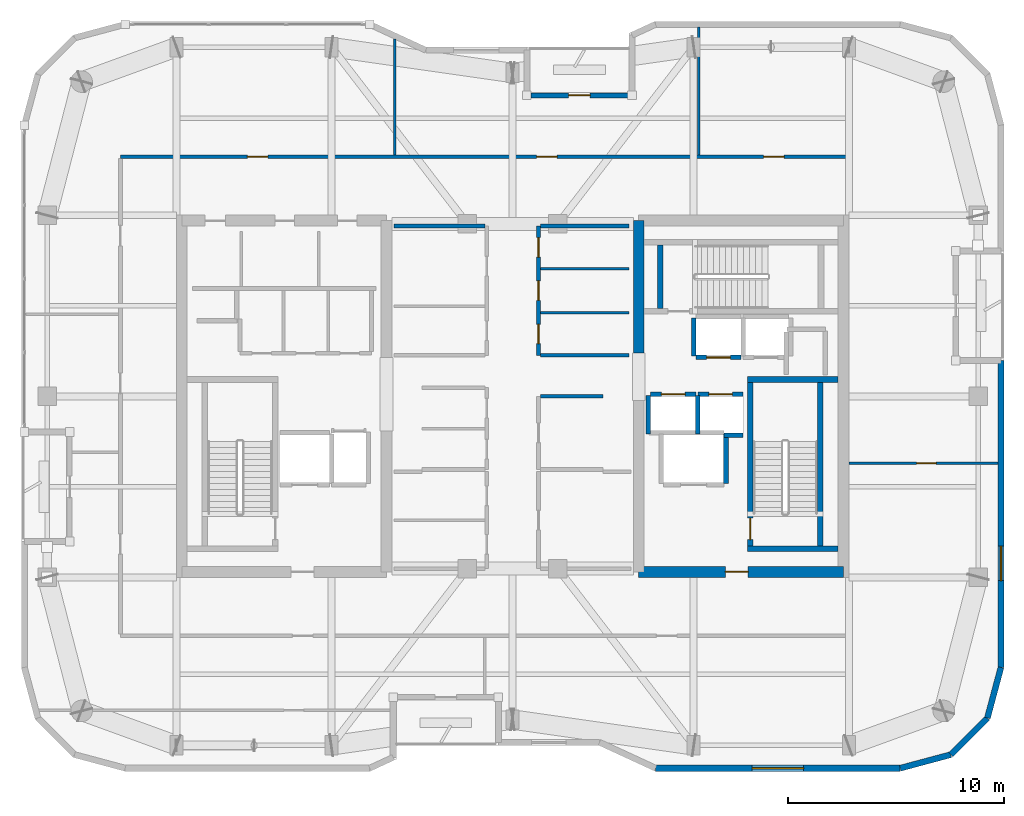
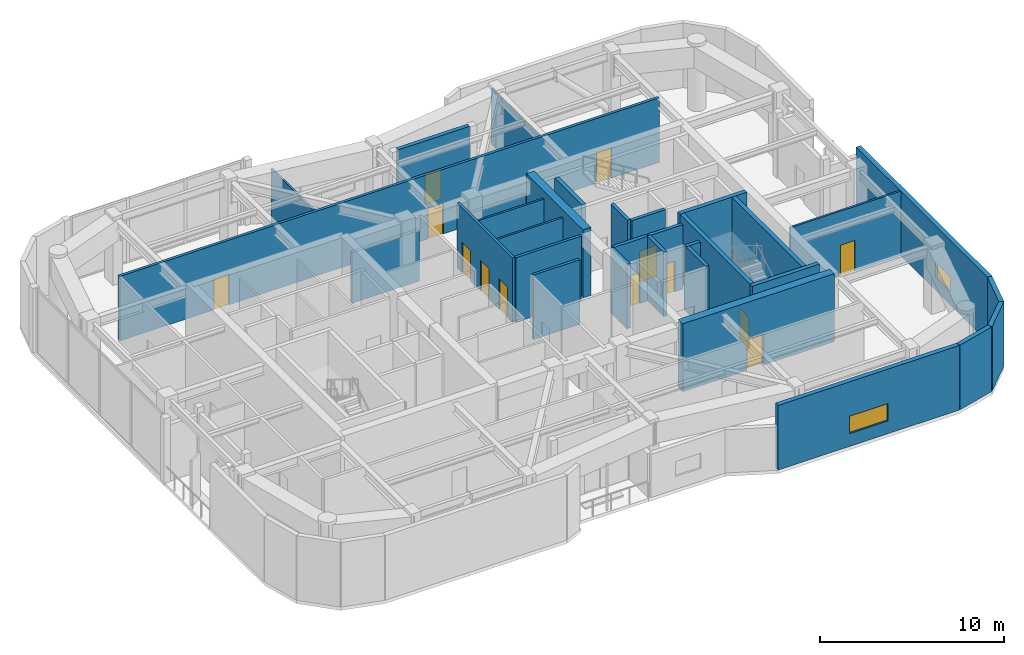
# One storey, part 12 of 15: 32 walls, 13 doors, 2 windows, 15 openings.
"""IFC4 building model written with IfcOpenShell, lengths in metres."""

from ifc_helpers import new_model, si_unit, direction, frame, frame_2d, origin, place, context, subcontext, project, spatial, rectangle, extrude, material, layer, layer_set, type_object, element, fill, save


model = new_model("IFC4")

# Units and contexts
model_context = context("Model", 3, precision=1e-05, world=origin(), true_north=direction((0.0, 1.0)))
body_context = subcontext(model_context, "Body", "Model", "MODEL_VIEW")
ifc_project = project(units=[si_unit("LENGTHUNIT", "METRE"), si_unit("AREAUNIT", "SQUARE_METRE"), si_unit("VOLUMEUNIT", "CUBIC_METRE"), si_unit("PLANEANGLEUNIT", "RADIAN"), si_unit("MASSUNIT", "GRAM", prefix="KILO")], contexts=[model_context])

# Site, building, storey
site_placement = place(None, origin())
site = spatial("IfcSite", under=ifc_project, at=site_placement, CompositionType="ELEMENT")
building_placement = place(site_placement, origin())
building = spatial("IfcBuilding", under=site, at=building_placement, Name="Kiyonajd Concourse Tower", CompositionType="ELEMENT")
storey_placement = place(building_placement, frame((0.0, 0.0, 342.0)))
storey = spatial("IfcBuildingStorey", under=building, at=storey_placement, Name="L86", CompositionType="ELEMENT", Elevation=342.0)

# Wall
ifc_material_1 = material(Name="Concrete C60/75", Category="concrete")
ifc_layer_1 = layer(ifc_material_1, 0.5)
ifc_layer_set_1 = layer_set([ifc_layer_1], Name="Concrete C60/75")
wall_type_1 = type_object("IfcWallType", Name="WL-CORE-500", PredefinedType="SHEAR", material=ifc_layer_set_1)
wall_1_placement = place(storey_placement, frame((53.85009765625, 38.0, 0.0), z_axis=(0.0, 0.0, 1.0), x_axis=(0.0, 1.0, 0.0)))
element("IfcWall", 1, at=wall_1_placement, inside=storey, type_object=wall_type_1, Name="L86 East Core Inner North Shear Wall", PredefinedType="SHEAR", context=body_context, shape_type="SweptSolid", body=[
    extrude(rectangle(XDim=6.14990234375, YDim=0.5, at=frame_2d((3.074951171875, 0.0))), origin(), (0.0, 0.0, 1.0), 4.5),
])

# Wall, opening, door
wall_2_placement = place(storey_placement, frame((53.85009765625, 27.85009765625, 0.0), z_axis=(0.0, 0.0, 1.0), x_axis=(1.0, 0.0, 0.0)))
wall_2 = element("IfcWall", 2, at=wall_2_placement, inside=storey, type_object=wall_type_1, Name="L86 East Core South Shear Wall", PredefinedType="SHEAR", context=body_context, shape_type="SweptSolid", body=[
    extrude(rectangle(XDim=9.5, YDim=0.5, at=frame_2d((4.75, 0.0))), origin(), (0.0, 0.0, 1.0), 4.5),
])
opening_1_placement = place(wall_2_placement, frame((4.02490234375, 0.0, 0.0)))
opening_1 = element("IfcOpeningElement", 3, at=opening_1_placement, cuts=wall_2, Name="Opening DF5", PredefinedType="OPENING", context=body_context, shape_type="SweptSolid", body=[
    extrude(rectangle(XDim=1.050048828125, YDim=2.0400390625, at=frame_2d((0.52490234375, 1.02001953125))), frame((0.0, 0.260009765625, 0.0), z_axis=(0.0, -1.0, 0.0), x_axis=(1.0, 0.0, 0.0)), (0.0, 0.0, 1.0), 0.52001953125),
])
ifc_material_2 = material(Name="Brushed Stainless Steel Cab Assembly", Category="steel")
door_type_1 = type_object("IfcDoorType", Name="DR-FD45-1050", OperationType="NOTDEFINED", PredefinedType="DOOR", material=ifc_material_2)
door_1_placement = place(opening_1_placement, origin())
door_1 = element("IfcDoor", 4, at=door_1_placement, inside=storey, type_object=door_type_1, Name="L86 Firefighting Lift Lobby E Smoke Door", OperationType="SINGLE_SWING_RIGHT", OverallHeight=2.0400390625, OverallWidth=1.050048828125, PredefinedType="DOOR", context=body_context, shape_type="SweptSolid", body=[
    extrude(rectangle(XDim=1.050048828125, YDim=2.0400390625, at=frame_2d((0.52490234375, 1.02001953125))), frame((0.0, 0.02490234375, 0.0), z_axis=(0.0, -1.0, 0.0), x_axis=(1.0, 0.0, 0.0)), (0.0, 0.0, 1.0), 0.050048828125),
])
fill(opening_1, door_1)

# Wall, opening, window
ifc_material_3 = material(Name="Precast concrete C50/60", Category="concrete")
ifc_layer_2 = layer(ifc_material_3, 0.280029296875)
ifc_layer_set_2 = layer_set([ifc_layer_2], Name="Precast concrete C50/60")
wall_type_2 = type_object("IfcWallType", Name="WL-EXT-280", PredefinedType="SOLIDWALL", material=ifc_layer_set_2)
wall_3_placement = place(storey_placement, frame((70.659912109375, 37.659912109375, 0.0), z_axis=(0.0, 0.0, 1.0), x_axis=(0.0, -1.0, 0.0)))
wall_3 = element("IfcWall", 5, at=wall_3_placement, inside=storey, type_object=wall_type_2, Name="L86 Exterior Concrete Frame Wall 24", PredefinedType="SOLIDWALL", context=body_context, shape_type="SweptSolid", body=[
    extrude(rectangle(XDim=14.241455078125, YDim=0.280029296875, at=frame_2d((7.12060546875, 0.0))), origin(), (0.0, 0.0, 1.0), 4.280029296875),
])
opening_2_placement = place(wall_3_placement, frame((8.611083984375, 0.0, 0.85009765625)))
opening_2 = element("IfcOpeningElement", 6, at=opening_2_placement, cuts=wall_3, Name="Opening WN6", PredefinedType="OPENING", context=body_context, shape_type="SweptSolid", body=[
    extrude(rectangle(XDim=1.60009765625, YDim=1.0, at=frame_2d((0.800048828125, 0.5))), frame((0.0, 0.14990234375, 0.0), z_axis=(0.0, -1.0, 0.0), x_axis=(1.0, 0.0, 0.0)), (0.0, 0.0, 1.0), 0.300048828125),
])
ifc_material_4 = material(Name="Double Low-E Insulated Glass", Category="glass")
window_type_1 = type_object("IfcWindowType", Name="WN-VIS-1600x1000", PartitioningType="SINGLE_PANEL", PredefinedType="WINDOW", material=ifc_material_4)
window_1_placement = place(opening_2_placement, origin())
window_1 = element("IfcWindow", 7, at=window_1_placement, inside=storey, type_object=window_type_1, Name="L86 Modular Facade Vision Window 24", OverallHeight=1.0, OverallWidth=1.60009765625, PartitioningType="SINGLE_PANEL", PredefinedType="WINDOW", context=body_context, shape_type="SweptSolid", body=[
    extrude(rectangle(XDim=1.60009765625, YDim=1.0, at=frame_2d((0.800048828125, 0.5))), frame((0.0, 0.030029296875, 0.0), z_axis=(0.0, -1.0, 0.0), x_axis=(1.0, 0.0, 0.0)), (0.0, 0.0, 1.0), 0.06005859375),
])
fill(opening_2, window_1)

# Walls
wall_4_placement = place(storey_placement, frame((70.659912109375, 23.41845703125, 0.0), z_axis=(0.0, 0.0, 1.0), x_axis=(-0.258751159445, -0.965944013639, 0.0)))
element("IfcWall", 8, at=wall_4_placement, inside=storey, type_object=wall_type_2, Name="L86 Exterior Concrete Frame Wall 25", PredefinedType="SOLIDWALL", context=body_context, shape_type="SweptSolid", body=[
    extrude(rectangle(XDim=2.4287109375, YDim=0.280029296875, at=frame_2d((1.21435546875, 0.0))), origin(), (0.0, 0.0, 1.0), 4.280029296875),
])
wall_5_placement = place(storey_placement, frame((70.031494140625, 21.072509765625, 0.0), z_axis=(0.0, 0.0, 1.0), x_axis=(-0.707106781187, -0.707106781187, 0.0)))
element("IfcWall", 9, at=wall_5_placement, inside=storey, type_object=wall_type_2, Name="L86 Exterior Concrete Frame Wall 26", PredefinedType="SOLIDWALL", context=body_context, shape_type="SweptSolid", body=[
    extrude(rectangle(XDim=2.409912109375, YDim=0.280029296875, at=frame_2d((1.205078125, 0.0))), origin(), (0.0, 0.0, 1.0), 4.280029296875),
])
wall_6_placement = place(storey_placement, frame((68.327392578125, 19.368408203125, 0.0), z_axis=(0.0, 0.0, 1.0), x_axis=(-0.965937282298, -0.25877628691, 0.0)))
element("IfcWall", 10, at=wall_6_placement, inside=storey, type_object=wall_type_2, Name="L86 Exterior Concrete Frame Wall 27", PredefinedType="SOLIDWALL", context=body_context, shape_type="SweptSolid", body=[
    extrude(rectangle(XDim=2.428466796875, YDim=0.280029296875, at=frame_2d((1.21435546875, 0.0))), origin(), (0.0, 0.0, 1.0), 4.280029296875),
])

# Wall, opening, window
wall_7_placement = place(storey_placement, frame((65.981689453125, 18.739990234375, 0.0), z_axis=(0.0, 0.0, 1.0), x_axis=(-1.0, 0.0, 0.0)))
wall_7 = element("IfcWall", 11, at=wall_7_placement, inside=storey, type_object=wall_type_2, Name="L86 Exterior Concrete Frame Wall 28", PredefinedType="SOLIDWALL", context=body_context, shape_type="SweptSolid", body=[
    extrude(rectangle(XDim=11.35107421875, YDim=0.280029296875, at=frame_2d((5.675537109375, 0.0))), origin(), (0.0, 0.0, 1.0), 4.280029296875),
])
opening_3_placement = place(wall_7_placement, frame((4.47509765625, 0.0, 0.85009765625)))
opening_3 = element("IfcOpeningElement", 12, at=opening_3_placement, cuts=wall_7, Name="Opening WN4", PredefinedType="OPENING", context=body_context, shape_type="SweptSolid", body=[
    extrude(rectangle(XDim=2.39990234375, YDim=1.14990234375, at=frame_2d((1.199951171875, 0.574951171875))), frame((0.0, 0.14990234375, 0.0), z_axis=(0.0, -1.0, 0.0), x_axis=(1.0, 0.0, 0.0)), (0.0, 0.0, 1.0), 0.300048828125),
])
window_type_2 = type_object("IfcWindowType", Name="WN-VIS-2400x1150", PartitioningType="SINGLE_PANEL", PredefinedType="WINDOW", material=ifc_material_4)
window_2_placement = place(opening_3_placement, origin())
window_2 = element("IfcWindow", 13, at=window_2_placement, inside=storey, type_object=window_type_2, Name="L86 Modular Facade Vision Window 28", OverallHeight=1.14990234375, OverallWidth=2.39990234375, PartitioningType="SINGLE_PANEL", PredefinedType="WINDOW", context=body_context, shape_type="SweptSolid", body=[
    extrude(rectangle(XDim=2.39990234375, YDim=1.14990234375, at=frame_2d((1.199951171875, 0.574951171875))), frame((0.0, 0.030029296875, 0.0), z_axis=(0.0, -1.0, 0.0), x_axis=(1.0, 0.0, 0.0)), (0.0, 0.0, 1.0), 0.06005859375),
])
fill(opening_3, window_2)

# Wall, opening, door
ifc_layer_3 = layer(ifc_material_3, 0.239990234375)
ifc_layer_set_3 = layer_set([ifc_layer_3], Name="Precast concrete C50/60")
wall_type_3 = type_object("IfcWallType", Name="WL-LOG-240", PredefinedType="SOLIDWALL", material=ifc_layer_set_3)
wall_8_placement = place(storey_placement, frame((48.85498046875, 49.9599609375, 0.0), z_axis=(0.0, 0.0, 1.0), x_axis=(1.0, 0.0, 0.0)))
wall_8 = element("IfcWall", 14, at=wall_8_placement, inside=storey, type_object=wall_type_3, Name="L86 Recessed Loggia Thermal Wall LOG-N", PredefinedType="SOLIDWALL", context=body_context, shape_type="SweptSolid", body=[
    extrude(rectangle(XDim=4.489990234375, YDim=0.239990234375, at=frame_2d((2.2451171875, 0.0))), origin(), (0.0, 0.0, 1.0), 4.280029296875),
])
opening_4_placement = place(wall_8_placement, frame((1.7451171875, 0.0, 0.0)))
opening_4 = element("IfcOpeningElement", 15, at=opening_4_placement, cuts=wall_8, Name="Opening DL1", PredefinedType="OPENING", context=body_context, shape_type="SweptSolid", body=[
    extrude(rectangle(XDim=1.0, YDim=2.02001953125, at=frame_2d((0.5, 1.010009765625))), frame((0.0, 0.1298828125, 0.0), z_axis=(0.0, -1.0, 0.0), x_axis=(1.0, 0.0, 0.0)), (0.0, 0.0, 1.0), 0.260009765625),
])
ifc_material_5 = material(Name="Thermally Broken Anodised Aluminium", Category="aluminium")
door_type_2 = type_object("IfcDoorType", Name="DR-LOG-1000", OperationType="NOTDEFINED", PredefinedType="DOOR", material=ifc_material_5)
door_2_placement = place(opening_4_placement, origin())
door_2 = element("IfcDoor", 16, at=door_2_placement, inside=storey, type_object=door_type_2, Name="L86 Engawa Loggia Access Door LOG-N", OperationType="SINGLE_SWING_RIGHT", OverallHeight=2.02001953125, OverallWidth=1.0, PredefinedType="DOOR", context=body_context, shape_type="SweptSolid", body=[
    extrude(rectangle(XDim=1.0, YDim=2.02001953125, at=frame_2d((0.5, 1.010009765625))), frame((0.0, 0.02490234375, 0.0), z_axis=(0.0, -1.0, 0.0), x_axis=(1.0, 0.0, 0.0)), (0.0, 0.0, 1.0), 0.050048828125),
])
fill(opening_4, door_2)

# Walls
ifc_material_6 = material(Name="Gypsum Board on Cold-Formed Steel Stud", Category="steel")
ifc_layer_4 = layer(ifc_material_6, 0.125)
ifc_layer_set_4 = layer_set([ifc_layer_4], Name="Gypsum Board on Cold-Formed Steel Stud")
wall_type_4 = type_object("IfcWallType", Name="WL-PART-125", PredefinedType="PARTITIONING", material=ifc_layer_set_4)
for number, where, z_axis, x_axis, name in (
    (17, (49.287109375, 39.8798828125, 0.0), (0.0, 0.0, 1.0), (1.0, 0.0, 0.0), "L86 Interior Partition Wall"),
    (18, (49.287109375, 41.919921875, 0.0), (0.0, 0.0, 1.0), (1.0, 0.0, 0.0), "L86 Interior Partition Wall"),
):
    element("IfcWall", number, at=place(storey_placement, frame(where, z_axis=z_axis, x_axis=x_axis)), inside=storey, type_object=wall_type_4, Name=name, PredefinedType="PARTITIONING", context=body_context, shape_type="SweptSolid", body=[
        extrude(rectangle(XDim=4.11279296875, YDim=0.125, at=frame_2d((2.056396484375, 0.0))), origin(), (0.0, 0.0, 1.0), 4.280029296875),
    ])
wall_9_placement = place(storey_placement, frame((42.530029296875, 47.197021484375, 0.0), z_axis=(0.0, 0.0, 1.0), x_axis=(0.0, 1.0, 0.0)))
element("IfcWall", 19, at=wall_9_placement, inside=storey, type_object=wall_type_4, Name="L86 Interior Partition Wall", PredefinedType="PARTITIONING", context=body_context, shape_type="SweptSolid", body=[
    extrude(rectangle(XDim=5.3759765625, YDim=0.125, at=frame_2d((2.68798828125, 0.0))), origin(), (0.0, 0.0, 1.0), 3.64306640625),
])
wall_10_placement = place(storey_placement, frame((56.639892578125, 47.197021484375, 0.0), z_axis=(0.0, 0.0, 1.0), x_axis=(0.0, 1.0, 0.0)))
element("IfcWall", 20, at=wall_10_placement, inside=storey, type_object=wall_type_4, Name="L86 Interior Partition Wall", PredefinedType="PARTITIONING", context=body_context, shape_type="SweptSolid", body=[
    extrude(rectangle(XDim=5.927978515625, YDim=0.125, at=frame_2d((2.9638671875, 0.0))), origin(), (0.0, 0.0, 1.0), 3.654052734375),
])

# Wall, opening, door
wall_11_placement = place(storey_placement, frame((63.60009765625, 32.889892578125, 0.0), z_axis=(0.0, 0.0, 1.0), x_axis=(1.0, 0.0, 0.0)))
wall_11 = element("IfcWall", 21, at=wall_11_placement, inside=storey, type_object=wall_type_4, Name="L86 Interior Partition Wall", PredefinedType="PARTITIONING", context=body_context, shape_type="SweptSolid", body=[
    extrude(rectangle(XDim=6.9248046875, YDim=0.125, at=frame_2d((3.46240234375, 0.0))), origin(), (0.0, 0.0, 1.0), 4.280029296875),
])
opening_5_placement = place(wall_11_placement, frame((3.14990234375, 0.0, 0.0)))
opening_5 = element("IfcOpeningElement", 22, at=opening_5_placement, cuts=wall_11, Name="Opening DI2", PredefinedType="OPENING", context=body_context, shape_type="SweptSolid", body=[
    extrude(rectangle(XDim=0.89990234375, YDim=2.02001953125, at=frame_2d((0.449951171875, 1.010009765625))), frame((0.0, 0.072509765625, 0.0), z_axis=(0.0, -1.0, 0.0), x_axis=(1.0, 0.0, 0.0)), (0.0, 0.0, 1.0), 0.14501953125),
])
ifc_material_7 = material(Name="Natural Oak Acoustic Timber Veneer", Category="wood")
door_type_3 = type_object("IfcDoorType", Name="DR-INT-900", OperationType="NOTDEFINED", PredefinedType="DOOR", material=ifc_material_7)
door_3_placement = place(opening_5_placement, origin())
door_3 = element("IfcDoor", 23, at=door_3_placement, inside=storey, type_object=door_type_3, Name="L86 Interior Door", OperationType="SINGLE_SWING_LEFT", OverallHeight=2.02001953125, OverallWidth=0.89990234375, PredefinedType="DOOR", context=body_context, shape_type="SweptSolid", body=[
    extrude(rectangle(XDim=0.89990234375, YDim=2.02001953125, at=frame_2d((0.449951171875, 1.010009765625))), frame((0.0, 0.02490234375, 0.0), z_axis=(0.0, -1.0, 0.0), x_axis=(1.0, 0.0, 0.0)), (0.0, 0.0, 1.0), 0.050048828125),
])
fill(opening_5, door_3)

# Wall
ifc_layer_5 = layer(ifc_material_6, 0.2099609375)
ifc_layer_set_5 = layer_set([ifc_layer_5], Name="Gypsum Board on Cold-Formed Steel Stud")
wall_type_5 = type_object("IfcWallType", Name="WL-SHAFT-210", PredefinedType="PARTITIONING", material=ifc_layer_set_5)
wall_12_placement = place(storey_placement, frame((57.89990234375, 31.9599609375, 0.0), z_axis=(0.0, 0.0, 1.0), x_axis=(0.0, 1.0, 0.0)))
element("IfcWall", 24, at=wall_12_placement, inside=storey, type_object=wall_type_5, Name="L86 Shaft Enclosure Wall", PredefinedType="PARTITIONING", context=body_context, shape_type="SweptSolid", body=[
    extrude(rectangle(XDim=2.280029296875, YDim=0.2099609375, at=frame_2d((1.14013671875, 0.0))), origin(), (0.0, 0.0, 1.0), 4.280029296875),
])

# Wall, opening, door
wall_13_placement = place(storey_placement, frame((54.39990234375, 36.10009765625, 0.0), z_axis=(0.0, 0.0, 1.0), x_axis=(1.0, 0.0, 0.0)))
wall_13 = element("IfcWall", 25, at=wall_13_placement, inside=storey, type_object=wall_type_5, Name="L86 Shaft Enclosure Wall", PredefinedType="PARTITIONING", context=body_context, shape_type="SweptSolid", body=[
    extrude(rectangle(XDim=2.10009765625, YDim=0.2099609375, at=frame_2d((1.050048828125, 0.0))), origin(), (0.0, 0.0, 1.0), 4.280029296875),
])
opening_6_placement = place(wall_13_placement, frame((0.5, 0.0, 0.0)))
opening_6 = element("IfcOpeningElement", 26, at=opening_6_placement, cuts=wall_13, Name="Opening LD1", PredefinedType="OPENING", context=body_context, shape_type="SweptSolid", body=[
    extrude(rectangle(XDim=1.10009765625, YDim=2.0400390625, at=frame_2d((0.550048828125, 1.02001953125))), frame((0.0, 0.114990234375, 0.0), z_axis=(0.0, -1.0, 0.0), x_axis=(1.0, 0.0, 0.0)), (0.0, 0.0, 1.0), 0.22998046875),
])
door_type_4 = type_object("IfcDoorType", Name="DR-LD-1100", OperationType="DOUBLE_DOOR_SLIDING", PredefinedType="DOOR", material=ifc_material_2)
door_4_placement = place(opening_6_placement, origin())
door_4 = element("IfcDoor", 27, at=door_4_placement, inside=storey, type_object=door_type_4, Name="L86 Lift PL-H1 Sliding Landing Door", OperationType="DOUBLE_DOOR_SLIDING", OverallHeight=2.0400390625, OverallWidth=1.10009765625, PredefinedType="DOOR", context=body_context, shape_type="SweptSolid", body=[
    extrude(rectangle(XDim=1.10009765625, YDim=2.0400390625, at=frame_2d((0.550048828125, 1.02001953125))), frame((0.0, 0.02490234375, 0.0), z_axis=(0.0, -1.0, 0.0), x_axis=(1.0, 0.0, 0.0)), (0.0, 0.0, 1.0), 0.050048828125),
])
fill(opening_6, door_4)

# Walls
for number, where, z_axis, x_axis, name in (
    (28, (54.300048828125, 34.260009765625, 0.0), (0.0, 0.0, 1.0), (0.0, 1.0, 0.0), "L86 Shaft Enclosure Wall"),
    (29, (56.60009765625, 34.260009765625, 0.0), (0.0, 0.0, 1.0), (0.0, 1.0, 0.0), "L86 Shaft Enclosure Wall"),
):
    element("IfcWall", number, at=place(storey_placement, frame(where, z_axis=z_axis, x_axis=x_axis)), inside=storey, type_object=wall_type_5, Name=name, PredefinedType="PARTITIONING", context=body_context, shape_type="SweptSolid", body=[
        extrude(rectangle(XDim=1.780029296875, YDim=0.2099609375, at=frame_2d((0.89013671875, 0.0))), origin(), (0.0, 0.0, 1.0), 4.280029296875),
    ])

# Wall, opening, door
wall_14_placement = place(storey_placement, frame((56.60009765625, 36.10009765625, 0.0), z_axis=(0.0, 0.0, 1.0), x_axis=(1.0, 0.0, 0.0)))
wall_14 = element("IfcWall", 30, at=wall_14_placement, inside=storey, type_object=wall_type_5, Name="L86 Shaft Enclosure Wall", PredefinedType="PARTITIONING", context=body_context, shape_type="SweptSolid", body=[
    extrude(rectangle(XDim=2.099853515625, YDim=0.2099609375, at=frame_2d((1.0498046875, 0.0))), origin(), (0.0, 0.0, 1.0), 4.280029296875),
])
opening_7_placement = place(wall_14_placement, frame((0.5, 0.0, 0.0)))
opening_7 = element("IfcOpeningElement", 31, at=opening_7_placement, cuts=wall_14, Name="Opening LD1", PredefinedType="OPENING", context=body_context, shape_type="SweptSolid", body=[
    extrude(rectangle(XDim=1.10009765625, YDim=2.0400390625, at=frame_2d((0.550048828125, 1.02001953125))), frame((0.0, 0.114990234375, 0.0), z_axis=(0.0, -1.0, 0.0), x_axis=(1.0, 0.0, 0.0)), (0.0, 0.0, 1.0), 0.22998046875),
])
door_5_placement = place(opening_7_placement, origin())
door_5 = element("IfcDoor", 32, at=door_5_placement, inside=storey, type_object=door_type_4, Name="L86 Lift PL-H2 Sliding Landing Door", OperationType="DOUBLE_DOOR_SLIDING", OverallHeight=2.0400390625, OverallWidth=1.10009765625, PredefinedType="DOOR", context=body_context, shape_type="SweptSolid", body=[
    extrude(rectangle(XDim=1.10009765625, YDim=2.0400390625, at=frame_2d((0.550048828125, 1.02001953125))), frame((0.0, 0.02490234375, 0.0), z_axis=(0.0, -1.0, 0.0), x_axis=(1.0, 0.0, 0.0)), (0.0, 0.0, 1.0), 0.050048828125),
])
fill(opening_7, door_5)

# Wall
wall_15_placement = place(storey_placement, frame((57.800048828125, 34.199951171875, 0.0), z_axis=(0.0, 0.0, 1.0), x_axis=(1.0, 0.0, 0.0)))
element("IfcWall", 33, at=wall_15_placement, inside=storey, type_object=wall_type_5, Name="L86 Shaft Enclosure Wall", PredefinedType="PARTITIONING", context=body_context, shape_type="SweptSolid", body=[
    extrude(rectangle(XDim=0.89990234375, YDim=0.2099609375, at=frame_2d((0.449951171875, 0.0))), origin(), (0.0, 0.0, 1.0), 4.280029296875),
])

# Wall, opening, door
wall_16_placement = place(storey_placement, frame((56.5, 37.800048828125, 0.0), z_axis=(0.0, 0.0, 1.0), x_axis=(1.0, 0.0, 0.0)))
wall_16 = element("IfcWall", 34, at=wall_16_placement, inside=storey, type_object=wall_type_5, Name="L86 Shaft Enclosure Wall", PredefinedType="PARTITIONING", context=body_context, shape_type="SweptSolid", body=[
    extrude(rectangle(XDim=2.10009765625, YDim=0.2099609375, at=frame_2d((1.050048828125, 0.0))), origin(), (0.0, 0.0, 1.0), 4.280029296875),
])
opening_8_placement = place(wall_16_placement, frame((0.5, 0.0, 0.0)))
opening_8 = element("IfcOpeningElement", 35, at=opening_8_placement, cuts=wall_16, Name="Opening LD1", PredefinedType="OPENING", context=body_context, shape_type="SweptSolid", body=[
    extrude(rectangle(XDim=1.10009765625, YDim=2.0400390625, at=frame_2d((0.550048828125, 1.02001953125))), frame((0.0, 0.114990234375, 0.0), z_axis=(0.0, -1.0, 0.0), x_axis=(1.0, 0.0, 0.0)), (0.0, 0.0, 1.0), 0.22998046875),
])
door_6_placement = place(opening_8_placement, origin())
door_6 = element("IfcDoor", 36, at=door_6_placement, inside=storey, type_object=door_type_4, Name="L86 Lift PL-H3 Sliding Landing Door", OperationType="DOUBLE_DOOR_SLIDING", OverallHeight=2.0400390625, OverallWidth=1.10009765625, PredefinedType="DOOR", context=body_context, shape_type="SweptSolid", body=[
    extrude(rectangle(XDim=1.10009765625, YDim=2.0400390625, at=frame_2d((0.550048828125, 1.02001953125))), frame((0.0, 0.02490234375, 0.0), z_axis=(0.0, -1.0, 0.0), x_axis=(1.0, 0.0, 0.0)), (0.0, 0.0, 1.0), 0.050048828125),
])
fill(opening_8, door_6)

# Walls
wall_17_placement = place(storey_placement, frame((56.39990234375, 37.860107421875, 0.0), z_axis=(0.0, 0.0, 1.0), x_axis=(0.0, 1.0, 0.0)))
element("IfcWall", 37, at=wall_17_placement, inside=storey, type_object=wall_type_5, Name="L86 Shaft Enclosure Wall", PredefinedType="PARTITIONING", context=body_context, shape_type="SweptSolid", body=[
    extrude(rectangle(XDim=1.77978515625, YDim=0.2099609375, at=frame_2d((0.889892578125, 0.0))), origin(), (0.0, 0.0, 1.0), 4.280029296875),
])
ifc_layer_6 = layer(ifc_material_6, 0.169921875)
ifc_layer_set_6 = layer_set([ifc_layer_6], Name="Gypsum Board on Cold-Formed Steel Stud")
wall_type_6 = type_object("IfcWallType", Name="WL-SMK-170", PredefinedType="PARTITIONING", material=ifc_layer_set_6)
wall_18_placement = place(storey_placement, frame((49.287109375, 36.0, 0.0), z_axis=(0.0, 0.0, 1.0), x_axis=(1.0, 0.0, 0.0)))
element("IfcWall", 38, at=wall_18_placement, inside=storey, type_object=wall_type_6, Name="L86 Interior Partition Wall", PredefinedType="PARTITIONING", context=body_context, shape_type="SweptSolid", body=[
    extrude(rectangle(XDim=2.912841796875, YDim=0.169921875, at=frame_2d((1.45654296875, 0.0))), origin(), (0.0, 0.0, 1.0), 4.280029296875),
])
wall_19_placement = place(storey_placement, frame((42.5, 43.89990234375, 0.0), z_axis=(0.0, 0.0, 1.0), x_axis=(1.0, 0.0, 0.0)))
element("IfcWall", 39, at=wall_19_placement, inside=storey, type_object=wall_type_6, Name="L86 Interior Partition Wall", PredefinedType="PARTITIONING", context=body_context, shape_type="SweptSolid", body=[
    extrude(rectangle(XDim=4.212890625, YDim=0.169921875, at=frame_2d((2.1064453125, 0.0))), origin(), (0.0, 0.0, 1.0), 3.364990234375),
])

# Wall, openings, doors
wall_20_placement = place(storey_placement, frame((49.199951171875, 37.89990234375, 0.0), z_axis=(0.0, 0.0, 1.0), x_axis=(0.0, 1.0, 0.0)))
wall_20 = element("IfcWall", 40, at=wall_20_placement, inside=storey, type_object=wall_type_6, Name="L86 Interior Partition Wall", PredefinedType="PARTITIONING", context=body_context, shape_type="SweptSolid", body=[
    extrude(rectangle(XDim=6.0, YDim=0.169921875, at=frame_2d((3.0, 0.0))), origin(), (0.0, 0.0, 1.0), 4.280029296875),
])
opening_9_placement = place(wall_20_placement, frame((0.5400390625, 0.0, 0.0)))
opening_9 = element("IfcOpeningElement", 41, at=opening_9_placement, cuts=wall_20, Name="Opening DI2", PredefinedType="OPENING", context=body_context, shape_type="SweptSolid", body=[
    extrude(rectangle(XDim=0.89990234375, YDim=2.02001953125, at=frame_2d((0.449951171875, 1.010009765625))), frame((0.0, 0.094970703125, 0.0), z_axis=(0.0, -1.0, 0.0), x_axis=(1.0, 0.0, 0.0)), (0.0, 0.0, 1.0), 0.18994140625),
])
opening_10_placement = place(wall_20_placement, frame((2.550048828125, 0.0, 0.0)))
opening_10 = element("IfcOpeningElement", 42, at=opening_10_placement, cuts=wall_20, Name="Opening DI2", PredefinedType="OPENING", context=body_context, shape_type="SweptSolid", body=[
    extrude(rectangle(XDim=0.89990234375, YDim=2.02001953125, at=frame_2d((0.449951171875, 1.010009765625))), frame((0.0, 0.094970703125, 0.0), z_axis=(0.0, -1.0, 0.0), x_axis=(1.0, 0.0, 0.0)), (0.0, 0.0, 1.0), 0.18994140625),
])
opening_11_placement = place(wall_20_placement, frame((4.56005859375, 0.0, 0.0)))
opening_11 = element("IfcOpeningElement", 43, at=opening_11_placement, cuts=wall_20, Name="Opening DI2", PredefinedType="OPENING", context=body_context, shape_type="SweptSolid", body=[
    extrude(rectangle(XDim=0.89990234375, YDim=2.02001953125, at=frame_2d((0.449951171875, 1.010009765625))), frame((0.0, 0.094970703125, 0.0), z_axis=(0.0, -1.0, 0.0), x_axis=(1.0, 0.0, 0.0)), (0.0, 0.0, 1.0), 0.18994140625),
])
door_7_placement = place(opening_9_placement, origin())
door_7 = element("IfcDoor", 44, at=door_7_placement, inside=storey, type_object=door_type_3, Name="L86 Interior Door", OperationType="SINGLE_SWING_LEFT", OverallHeight=2.02001953125, OverallWidth=0.89990234375, PredefinedType="DOOR", context=body_context, shape_type="SweptSolid", body=[
    extrude(rectangle(XDim=0.89990234375, YDim=2.02001953125, at=frame_2d((0.449951171875, 1.010009765625))), frame((0.0, 0.02490234375, 0.0), z_axis=(0.0, -1.0, 0.0), x_axis=(1.0, 0.0, 0.0)), (0.0, 0.0, 1.0), 0.050048828125),
])
fill(opening_9, door_7)
door_8_placement = place(opening_10_placement, origin())
door_8 = element("IfcDoor", 45, at=door_8_placement, inside=storey, type_object=door_type_3, Name="L86 Interior Door", OperationType="SINGLE_SWING_RIGHT", OverallHeight=2.02001953125, OverallWidth=0.89990234375, PredefinedType="DOOR", context=body_context, shape_type="SweptSolid", body=[
    extrude(rectangle(XDim=0.89990234375, YDim=2.02001953125, at=frame_2d((0.449951171875, 1.010009765625))), frame((0.0, 0.02490234375, 0.0), z_axis=(0.0, -1.0, 0.0), x_axis=(1.0, 0.0, 0.0)), (0.0, 0.0, 1.0), 0.050048828125),
])
fill(opening_10, door_8)
door_9_placement = place(opening_11_placement, origin())
door_9 = element("IfcDoor", 46, at=door_9_placement, inside=storey, type_object=door_type_3, Name="L86 Interior Door", OperationType="SINGLE_SWING_LEFT", OverallHeight=2.02001953125, OverallWidth=0.89990234375, PredefinedType="DOOR", context=body_context, shape_type="SweptSolid", body=[
    extrude(rectangle(XDim=0.89990234375, YDim=2.02001953125, at=frame_2d((0.449951171875, 1.010009765625))), frame((0.0, 0.02490234375, 0.0), z_axis=(0.0, -1.0, 0.0), x_axis=(1.0, 0.0, 0.0)), (0.0, 0.0, 1.0), 0.050048828125),
])
fill(opening_11, door_9)

# Walls
wall_21_placement = place(storey_placement, frame((49.287109375, 37.89990234375, 0.0), z_axis=(0.0, 0.0, 1.0), x_axis=(1.0, 0.0, 0.0)))
element("IfcWall", 47, at=wall_21_placement, inside=storey, type_object=wall_type_6, Name="L86 Interior Partition Wall", PredefinedType="PARTITIONING", context=body_context, shape_type="SweptSolid", body=[
    extrude(rectangle(XDim=4.11279296875, YDim=0.169921875, at=frame_2d((2.056396484375, 0.0))), origin(), (0.0, 0.0, 1.0), 4.280029296875),
])
wall_22_placement = place(storey_placement, frame((49.287109375, 43.89990234375, 0.0), z_axis=(0.0, 0.0, 1.0), x_axis=(1.0, 0.0, 0.0)))
element("IfcWall", 48, at=wall_22_placement, inside=storey, type_object=wall_type_6, Name="L86 Interior Partition Wall", PredefinedType="PARTITIONING", context=body_context, shape_type="SweptSolid", body=[
    extrude(rectangle(XDim=4.11279296875, YDim=0.169921875, at=frame_2d((2.056396484375, 0.0))), origin(), (0.0, 0.0, 1.0), 3.364990234375),
])

# Wall, openings, doors
wall_23_placement = place(storey_placement, frame((29.800048828125, 47.110107421875, 0.0), z_axis=(0.0, 0.0, 1.0), x_axis=(1.0, 0.0, 0.0)))
wall_23 = element("IfcWall", 49, at=wall_23_placement, inside=storey, type_object=wall_type_6, Name="L86 Interior Partition Wall", PredefinedType="PARTITIONING", context=body_context, shape_type="SweptSolid", body=[
    extrude(rectangle(XDim=33.800048828125, YDim=0.169921875, at=frame_2d((16.89990234375, 0.0))), origin(), (0.0, 0.0, 1.0), 4.280029296875),
])
opening_12_placement = place(wall_23_placement, frame((5.889892578125, 0.0, 0.0)))
opening_12 = element("IfcOpeningElement", 50, at=opening_12_placement, cuts=wall_23, Name="Opening DI1", PredefinedType="OPENING", context=body_context, shape_type="SweptSolid", body=[
    extrude(rectangle(XDim=0.949951171875, YDim=2.0400390625, at=frame_2d((0.47509765625, 1.02001953125))), frame((0.0, 0.094970703125, 0.0), z_axis=(0.0, -1.0, 0.0), x_axis=(1.0, 0.0, 0.0)), (0.0, 0.0, 1.0), 0.18994140625),
])
opening_13_placement = place(wall_23_placement, frame((19.31005859375, 0.0, 0.0)))
opening_13 = element("IfcOpeningElement", 51, at=opening_13_placement, cuts=wall_23, Name="Opening DI1", PredefinedType="OPENING", context=body_context, shape_type="SweptSolid", body=[
    extrude(rectangle(XDim=0.949951171875, YDim=2.0400390625, at=frame_2d((0.47509765625, 1.02001953125))), frame((0.0, 0.094970703125, 0.0), z_axis=(0.0, -1.0, 0.0), x_axis=(1.0, 0.0, 0.0)), (0.0, 0.0, 1.0), 0.18994140625),
])
opening_14_placement = place(wall_23_placement, frame((29.844970703125, 0.0, 0.0)))
opening_14 = element("IfcOpeningElement", 52, at=opening_14_placement, cuts=wall_23, Name="Opening DI1", PredefinedType="OPENING", context=body_context, shape_type="SweptSolid", body=[
    extrude(rectangle(XDim=0.949951171875, YDim=2.0400390625, at=frame_2d((0.47509765625, 1.02001953125))), frame((0.0, 0.094970703125, 0.0), z_axis=(0.0, -1.0, 0.0), x_axis=(1.0, 0.0, 0.0)), (0.0, 0.0, 1.0), 0.18994140625),
])
door_type_5 = type_object("IfcDoorType", Name="DR-INT-950", OperationType="NOTDEFINED", PredefinedType="DOOR", material=ifc_material_7)
door_10_placement = place(opening_12_placement, origin())
door_10 = element("IfcDoor", 53, at=door_10_placement, inside=storey, type_object=door_type_5, Name="L86 Interior Door", OperationType="SINGLE_SWING_LEFT", OverallHeight=2.0400390625, OverallWidth=0.949951171875, PredefinedType="DOOR", context=body_context, shape_type="SweptSolid", body=[
    extrude(rectangle(XDim=0.949951171875, YDim=2.0400390625, at=frame_2d((0.47509765625, 1.02001953125))), frame((0.0, 0.02490234375, 0.0), z_axis=(0.0, -1.0, 0.0), x_axis=(1.0, 0.0, 0.0)), (0.0, 0.0, 1.0), 0.050048828125),
])
fill(opening_12, door_10)
door_11_placement = place(opening_13_placement, origin())
door_11 = element("IfcDoor", 54, at=door_11_placement, inside=storey, type_object=door_type_5, Name="L86 Interior Door", OperationType="SINGLE_SWING_RIGHT", OverallHeight=2.0400390625, OverallWidth=0.949951171875, PredefinedType="DOOR", context=body_context, shape_type="SweptSolid", body=[
    extrude(rectangle(XDim=0.949951171875, YDim=2.0400390625, at=frame_2d((0.47509765625, 1.02001953125))), frame((0.0, 0.02490234375, 0.0), z_axis=(0.0, -1.0, 0.0), x_axis=(1.0, 0.0, 0.0)), (0.0, 0.0, 1.0), 0.050048828125),
])
fill(opening_13, door_11)
door_12_placement = place(opening_14_placement, origin())
door_12 = element("IfcDoor", 55, at=door_12_placement, inside=storey, type_object=door_type_5, Name="L86 Interior Door", OperationType="SINGLE_SWING_LEFT", OverallHeight=2.0400390625, OverallWidth=0.949951171875, PredefinedType="DOOR", context=body_context, shape_type="SweptSolid", body=[
    extrude(rectangle(XDim=0.949951171875, YDim=2.0400390625, at=frame_2d((0.47509765625, 1.02001953125))), frame((0.0, 0.02490234375, 0.0), z_axis=(0.0, -1.0, 0.0), x_axis=(1.0, 0.0, 0.0)), (0.0, 0.0, 1.0), 0.050048828125),
])
fill(opening_14, door_12)

# Walls
ifc_material_8 = material(Name="Concrete C50/60", Category="concrete")
ifc_layer_7 = layer(ifc_material_8, 0.260009765625)
ifc_layer_set_7 = layer_set([ifc_layer_7], Name="Concrete C50/60")
wall_type_7 = type_object("IfcWallType", Name="WL-STAIR-260", PredefinedType="SHEAR", material=ifc_layer_set_7)
for number, where, z_axis, x_axis, name in (
    (56, (58.889892578125, 28.919921875, 0.0), (0.0, 0.0, 1.0), (1.0, 0.0, 0.0), "L86 Stair ST2 Structural South Wall"),
    (57, (58.889892578125, 36.780029296875, 0.0), (0.0, 0.0, 1.0), (1.0, 0.0, 0.0), "L86 Stair ST2 Structural North Wall"),
):
    element("IfcWall", number, at=place(storey_placement, frame(where, z_axis=z_axis, x_axis=x_axis)), inside=storey, type_object=wall_type_7, Name=name, PredefinedType="SHEAR", context=body_context, shape_type="SweptSolid", body=[
        extrude(rectangle(XDim=4.210205078125, YDim=0.260009765625, at=frame_2d((2.10498046875, 0.0))), origin(), (0.0, 0.0, 1.0), 4.5),
    ])

# Wall, opening, door
wall_24_placement = place(storey_placement, frame((59.02001953125, 29.050048828125, 0.0), z_axis=(0.0, 0.0, 1.0), x_axis=(0.0, 1.0, 0.0)))
wall_24 = element("IfcWall", 58, at=wall_24_placement, inside=storey, type_object=wall_type_7, Name="L86 Stair ST2 Structural West Wall", PredefinedType="SHEAR", context=body_context, shape_type="SweptSolid", body=[
    extrude(rectangle(XDim=7.599853515625, YDim=0.260009765625, at=frame_2d((3.7998046875, 0.0))), origin(), (0.0, 0.0, 1.0), 4.5),
])
opening_15_placement = place(wall_24_placement, frame((0.300048828125, 0.0, 0.0)))
opening_15 = element("IfcOpeningElement", 59, at=opening_15_placement, cuts=wall_24, Name="Opening DF1", PredefinedType="OPENING", context=body_context, shape_type="SweptSolid", body=[
    extrude(rectangle(XDim=1.0, YDim=2.0400390625, at=frame_2d((0.5, 1.02001953125))), frame((0.0, 0.139892578125, 0.0), z_axis=(0.0, -1.0, 0.0), x_axis=(1.0, 0.0, 0.0)), (0.0, 0.0, 1.0), 0.280029296875),
])
door_type_6 = type_object("IfcDoorType", Name="DR-FD90-1000", OperationType="NOTDEFINED", PredefinedType="DOOR", material=ifc_material_2)
door_13_placement = place(opening_15_placement, origin())
door_13 = element("IfcDoor", 60, at=door_13_placement, inside=storey, type_object=door_type_6, Name="L86 Stair ST2 FSAE Door", OperationType="SINGLE_SWING_RIGHT", OverallHeight=2.0400390625, OverallWidth=1.0, PredefinedType="DOOR", context=body_context, shape_type="SweptSolid", body=[
    extrude(rectangle(XDim=1.0, YDim=2.0400390625, at=frame_2d((0.5, 1.02001953125))), frame((0.0, 0.02490234375, 0.0), z_axis=(0.0, -1.0, 0.0), x_axis=(1.0, 0.0, 0.0)), (0.0, 0.0, 1.0), 0.050048828125),
])
fill(opening_15, door_13)

# Walls
wall_25_placement = place(storey_placement, frame((62.280029296875, 29.050048828125, 0.0), z_axis=(0.0, 0.0, 1.0), x_axis=(0.0, 1.0, 0.0)))
element("IfcWall", 61, at=wall_25_placement, inside=storey, type_object=wall_type_7, Name="L86 Stair ST2 Structural East Wall", PredefinedType="SHEAR", context=body_context, shape_type="SweptSolid", body=[
    extrude(rectangle(XDim=7.599853515625, YDim=0.260009765625, at=frame_2d((3.7998046875, 0.0))), origin(), (0.0, 0.0, 1.0), 4.5),
])
wall_26_placement = place(storey_placement, frame((54.85009765625, 40.080078125, 0.0), z_axis=(0.0, 0.0, 1.0), x_axis=(0.0, 1.0, 0.0)))
element("IfcWall", 62, at=wall_26_placement, inside=storey, type_object=wall_type_7, Name="L86 Stair ST3 Structural West Wall", PredefinedType="SHEAR", context=body_context, shape_type="SweptSolid", body=[
    extrude(rectangle(XDim=2.93994140625, YDim=0.260009765625, at=frame_2d((1.469970703125, 0.0))), origin(), (0.0, 0.0, 1.0), 4.5),
])

save(model, "model.ifc")
